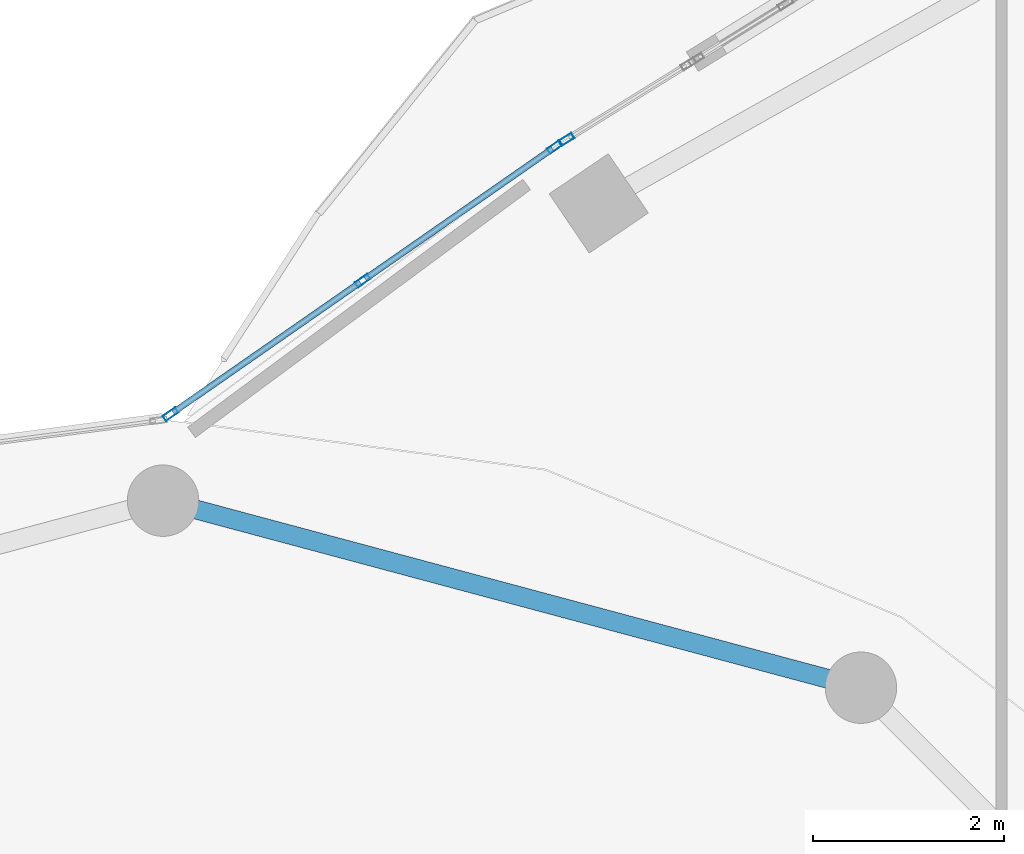
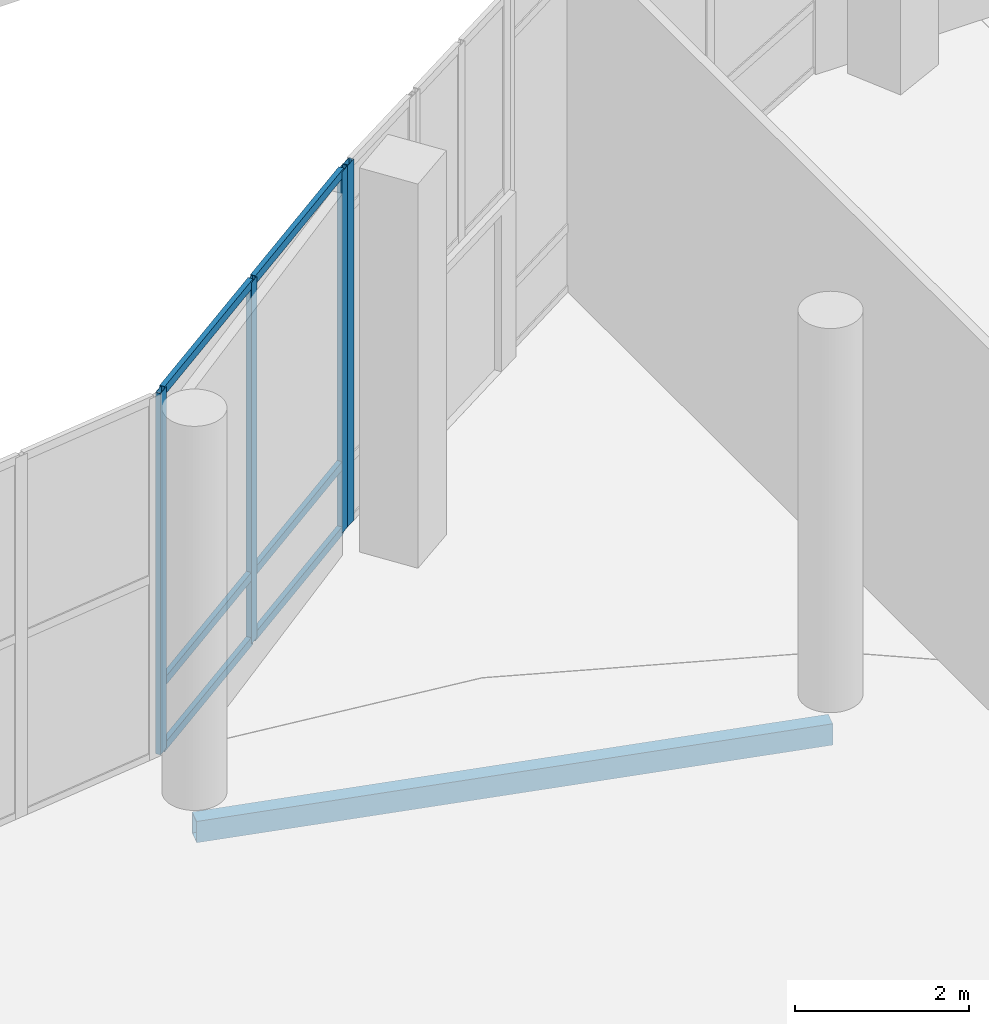
# One storey, part 59 of 158: 10 members, 1 beam, 2 elements without a shape of their own.
"""IFC4 building model written with IfcOpenShell, lengths in metres."""

import ifcopenshell
import ifcopenshell.guid

model = None  # the IFC model being written
_history = None  # IfcOwnerHistory: only IFC2X3 demands one
_inside = {}  # id of a spatial element -> (the spatial element, [elements in it])
_under = {}  # id of a project, library or spatial element -> (it, [spatial elements below it])
_declared = {}  # id of a project -> (the project, [libraries it declares])
_typed = {}  # id of a type object -> (the type object, [elements of that type])
_made_of = {}  # id of a material, layer set ... -> (it, [elements and type objects made of it])


def new_model(schema):
    """Start an empty IFC model of exactly this schema.

    Asked for "IFC4X3", IfcOpenShell would pick the latest addendum, in which some entities
    have other attributes; the version numbers below select the first issue.
    IFC2X3 requires an IfcOwnerHistory on every rooted entity: one is made here for all.
    """
    global model, _history
    if schema == "IFC4X3":
        model = ifcopenshell.file(schema_version=(4, 3, 0, 0))
    else:
        model = ifcopenshell.file(schema=schema)
    _inside.clear()
    _under.clear()
    _declared.clear()
    _typed.clear()
    _made_of.clear()
    _history = None
    if model.schema == "IFC2X3":
        org = make("IfcOrganization", Name="unknown")
        user = make(
            "IfcPersonAndOrganization",
            ThePerson=make("IfcPerson", FamilyName="unknown"),
            TheOrganization=org,
        )
        app = make(
            "IfcApplication",
            ApplicationDeveloper=org,
            Version="unknown",
            ApplicationFullName="unknown",
            ApplicationIdentifier="unknown",
        )
        _history = make(
            "IfcOwnerHistory",
            OwningUser=user,
            OwningApplication=app,
            ChangeAction="ADDED",
            CreationDate=0,
        )
    return model


def make(cls, **values):
    """One entity of the class cls with the attributes given. An attribute that is None is left unset."""
    return model.create_entity(
        cls, **{name: value for name, value in values.items() if value is not None}
    )


def rooted(cls, **values):
    """An entity with a GlobalId (a new one), such as an element, a storey or a relation."""
    return make(cls, GlobalId=ifcopenshell.guid.new(), OwnerHistory=_history, **values)


def si_unit(unit_type, name, prefix=None):
    """IfcSIUnit, for example si_unit("LENGTHUNIT", "METRE", prefix="MILLI")."""
    return make("IfcSIUnit", UnitType=unit_type, Prefix=prefix, Name=name)


def assignment(units):
    """IfcUnitAssignment: the units of a project."""
    return None if units is None else make("IfcUnitAssignment", Units=units)


def point(xyz):
    """IfcCartesianPoint."""
    return None if xyz is None else make("IfcCartesianPoint", Coordinates=xyz)


def direction(xyz):
    """IfcDirection."""
    return None if xyz is None else make("IfcDirection", DirectionRatios=xyz)


def frame(location, z_axis=None, x_axis=None):
    """IfcAxis2Placement3D, a coordinate frame: its origin and axes. An axis left out is left unset."""
    return make(
        "IfcAxis2Placement3D",
        Location=point(location),
        Axis=direction(z_axis),
        RefDirection=direction(x_axis),
    )


def frame_2d(location, x_axis=None):
    """IfcAxis2Placement2D, a coordinate frame in the plane: its origin and x axis."""
    return make(
        "IfcAxis2Placement2D", Location=point(location), RefDirection=direction(x_axis)
    )


def origin():
    """The frame at (0, 0, 0) with its axes left unset."""
    return frame((0.0, 0.0, 0.0))


def origin_2d():
    """The frame at (0, 0) in the plane with its x axis left unset."""
    return frame_2d((0.0, 0.0))


def place(relative_to, where):
    """IfcLocalPlacement: puts the frame where relative to a parent placement (None: the world)."""
    return make(
        "IfcLocalPlacement", PlacementRelTo=relative_to, RelativePlacement=where
    )


def context(
    kind, dimensions, precision=None, world=None, true_north=None, identifier=None
):
    """IfcGeometricRepresentationContext, for example the 3D "Model" context."""
    return make(
        "IfcGeometricRepresentationContext",
        ContextIdentifier=identifier,
        ContextType=kind,
        CoordinateSpaceDimension=dimensions,
        Precision=precision,
        WorldCoordinateSystem=world,
        TrueNorth=true_north,
    )


def subcontext(parent, identifier, kind, view, scale=None):
    """IfcGeometricRepresentationSubContext, for example "Body" below "Model"."""
    return make(
        "IfcGeometricRepresentationSubContext",
        ContextIdentifier=identifier,
        ContextType=kind,
        ParentContext=parent,
        TargetScale=scale,
        TargetView=view,
    )


def project(units=None, contexts=None):
    """IfcProject with its units and contexts."""
    return rooted(
        "IfcProject",
        Name="project",
        RepresentationContexts=contexts,
        UnitsInContext=assignment(units),
    )


def spatial(cls, under=None, at=None, **own):
    """A site, building, storey or space (cls), placed at a placement, below another one or the project."""
    s = rooted(cls, ObjectPlacement=at, **own)
    if under is not None:
        _under.setdefault(under.id(), (under, []))[1].append(s)
    return s


def profile(cls, at=None, kind="AREA", **sizes):
    """A parametric profile (cls). Its sizes go by their IFC names, for example OverallWidth=200.0."""
    return make(cls, ProfileType=kind, Position=at, **sizes)


def hollow_rectangle(**sizes):
    """IfcRectangleHollowProfileDef."""
    return profile("IfcRectangleHollowProfileDef", **sizes)


def extrude(swept, where, along, depth):
    """IfcExtrudedAreaSolid: the profile swept, set in the frame where, extruded along a direction by depth."""
    return make(
        "IfcExtrudedAreaSolid",
        SweptArea=swept,
        Position=where,
        ExtrudedDirection=direction(along),
        Depth=depth,
    )


def shape(context_of_items, identifier, shape_type, items):
    """IfcShapeRepresentation: the items that make up one representation, for example the "Body"."""
    return make(
        "IfcShapeRepresentation",
        ContextOfItems=context_of_items,
        RepresentationIdentifier=identifier,
        RepresentationType=shape_type,
        Items=items,
    )


def material(Name=None, Category=None):
    """IfcMaterial."""
    return make("IfcMaterial", Name=Name, Category=Category)


def material_profile(
    of_material, cross_section, Name=None, Category=None, Priority=None
):
    """IfcMaterialProfile: a cross section and its material."""
    return make(
        "IfcMaterialProfile",
        Name=Name,
        Material=of_material,
        Profile=cross_section,
        Priority=Priority,
        Category=Category,
    )


def profile_set(profiles, Name=None, composite=None):
    """IfcMaterialProfileSet."""
    return make(
        "IfcMaterialProfileSet",
        Name=Name,
        MaterialProfiles=profiles,
        CompositeProfile=composite,
    )


def made_of(thing, what):
    """Note that an element or type object is made of a material, layer set ...; save() writes the relation."""
    if what is not None:
        _made_of.setdefault(what.id(), (what, []))[1].append(thing)
    return thing


def type_object(cls, material=None, **own):
    """A type object (cls), such as IfcWallType, which elements share."""
    return made_of(rooted(cls, **own), material)


def element(
    cls,
    number,
    at=None,
    inside=None,
    cuts=None,
    type_object=None,
    material=None,
    context=None,
    identifier="Body",
    shape_type=None,
    held_by="IfcProductDefinitionShape",
    body=None,
    shapes=None,
    **own,
):
    """One element of the class cls, such as IfcWall. Its Tag is "e" and its number.

    at: its placement. inside: the storey or other place that contains it. cuts: it is an
    opening in that element (IfcRelVoidsElement). A single representation is given by context,
    identifier, shape_type and body (its items); several are given by shapes. held_by: the class
    of the entity that holds the representations. save() writes the other relations.
    """
    e = rooted(cls, Tag="e%d" % number, ObjectPlacement=at, **own)
    if body is not None:
        shapes = [shape(context, identifier, shape_type, body)]
    if shapes is not None:
        e.Representation = make(held_by, Representations=shapes)
    if inside is not None:
        _inside.setdefault(inside.id(), (inside, []))[1].append(e)
    if cuts is not None:
        rooted(
            "IfcRelVoidsElement", RelatingBuildingElement=cuts, RelatedOpeningElement=e
        )
    if type_object is not None:
        _typed.setdefault(type_object.id(), (type_object, []))[1].append(e)
    return made_of(e, material)


def aggregate(whole, parts):
    """IfcRelAggregates: a whole, such as a stair, and the parts it consists of."""
    return rooted("IfcRelAggregates", RelatingObject=whole, RelatedObjects=parts)


def save(model, path):
    """Write the relations noted so far, then the file.

    IfcRelAggregates (storeys below a building ...), IfcRelContainedInSpatialStructure (elements
    in a storey), IfcRelDefinesByType, IfcRelAssociatesMaterial and IfcRelDeclares: one each for
    every whole, place, type object, material and project.
    """
    for whole, parts in _under.values():
        aggregate(whole, parts)
    for where, things in _inside.values():
        rooted(
            "IfcRelContainedInSpatialStructure",
            RelatedElements=things,
            RelatingStructure=where,
        )
    for kind, things in _typed.values():
        rooted("IfcRelDefinesByType", RelatedObjects=things, RelatingType=kind)
    for what, things in _made_of.values():
        rooted("IfcRelAssociatesMaterial", RelatedObjects=things, RelatingMaterial=what)
    for by, libraries in _declared.values():
        rooted("IfcRelDeclares", RelatingContext=by, RelatedDefinitions=libraries)
    model.write(path)


model = new_model("IFC4")

# Units and contexts
model_context = context("Model", 3, precision=1e-05, world=origin(), true_north=direction((0.0, 1.0)))
body_context = subcontext(model_context, "Body", "Model", "MODEL_VIEW")
ifc_project = project(units=[si_unit("LENGTHUNIT", "METRE"), si_unit("AREAUNIT", "SQUARE_METRE"), si_unit("VOLUMEUNIT", "CUBIC_METRE"), si_unit("PLANEANGLEUNIT", "RADIAN"), si_unit("MASSUNIT", "GRAM", prefix="KILO")], contexts=[model_context])

# Site, building, storey
site_placement = place(None, origin())
site = spatial("IfcSite", under=ifc_project, at=site_placement, CompositionType="ELEMENT")
building_placement = place(site_placement, origin())
building = spatial("IfcBuilding", under=site, at=building_placement, Name="Selatvlak General Hospital", CompositionType="ELEMENT")
storey_placement = place(building_placement, origin())
storey = spatial("IfcBuildingStorey", under=building, at=storey_placement, Name="L00", CompositionType="ELEMENT", Elevation=0.0)

# Beam
ifc_material_1 = material(Name="Steel S355", Category="steel")
ifc_material_profile_1 = material_profile(ifc_material_1, hollow_rectangle(XDim=0.199951171875, YDim=0.300048828125, WallThickness=0.011962890625, at=origin_2d()), Name="RHS 300x200x12")
ifc_profile_set_1 = profile_set([ifc_material_profile_1], Name="Steel S355")
beam_type = type_object("IfcBeamType", Name="BM-SP3", PredefinedType="SPANDREL", material=ifc_profile_set_1)
beam_placement = place(storey_placement, frame((105.324951171875, 66.68701171875, -0.5), z_axis=(-0.965920028052, 0.25884068345, 0.0), x_axis=(-0.25884068345, -0.965920028052, 0.0)))
element("IfcBeam", 1, at=beam_placement, inside=storey, type_object=beam_type, Name="Beam BMR-L00-0331", PredefinedType="SPANDREL", context=body_context, shape_type="SweptSolid", body=[
    extrude(hollow_rectangle(XDim=0.199951171875, YDim=0.300048828125, WallThickness=0.011962890625, at=origin_2d()), origin(), (0.0, 0.0, 1.0), 7.58349609375),
])

# Curtain wall, members
ifc_material_2 = material(Name="Solar-control Low-E double glazing", Category="glass")
curtain_wall_type = type_object("IfcCurtainWallType", Name="CW-CW-01", PredefinedType="USERDEFINED", material=ifc_material_2)
curtain_wall_1_placement = place(storey_placement, origin())
curtain_wall_1 = element("IfcCurtainWall", 2, at=curtain_wall_1_placement, inside=storey, type_object=curtain_wall_type, Name="Glazed facade curtain wall CW-L00-0099", ObjectType="UNITISED CURTAIN WALL", PredefinedType="USERDEFINED")
ifc_material_3 = material(Name="Dark anodised aluminium mullion", Category="aluminium")
ifc_material_profile_2 = material_profile(ifc_material_3, hollow_rectangle(XDim=0.06494140625, YDim=0.159912109375, WallThickness=0.00390625, at=origin_2d()), Name="AL-MUL 65x160x4")
ifc_profile_set_2 = profile_set([ifc_material_profile_2], Name="Dark anodised aluminium mullion")
member_type_1 = type_object("IfcMemberType", Name="CWM-01", PredefinedType="MULLION", material=ifc_profile_set_2)
member_1_placement = place(storey_placement, frame((98.07861328125, 69.556640625, 0.0), z_axis=(0.0, 0.0, 1.0), x_axis=(-0.571046832792, 0.820917483526, 0.0)))
member_1 = element("IfcMember", 3, at=member_1_placement, type_object=member_type_1, Name="CW-01 mullion 1", PredefinedType="MULLION", context=body_context, shape_type="SweptSolid", body=[
    extrude(hollow_rectangle(XDim=0.06494140625, YDim=0.159912109375, WallThickness=0.00390625, at=origin_2d()), origin(), (0.0, 0.0, 1.0), 5.080078125),
])
member_2_placement = place(storey_placement, frame((100.095458984375, 70.95947265625, 0.0), z_axis=(0.0, 0.0, 1.0), x_axis=(-0.571046832792, 0.820917483526, 0.0)))
member_2 = element("IfcMember", 4, at=member_2_placement, type_object=member_type_1, Name="CW-01 mullion 2", PredefinedType="MULLION", context=body_context, shape_type="SweptSolid", body=[
    extrude(hollow_rectangle(XDim=0.06494140625, YDim=0.159912109375, WallThickness=0.00390625, at=origin_2d()), origin(), (0.0, 0.0, 1.0), 5.080078125),
])
member_3_placement = place(storey_placement, frame((102.1123046875, 72.362548828125, 0.0), z_axis=(0.0, 0.0, 1.0), x_axis=(-0.571046832792, 0.820917483526, 0.0)))
member_3 = element("IfcMember", 5, at=member_3_placement, type_object=member_type_1, Name="CW-01 mullion 3", PredefinedType="MULLION", context=body_context, shape_type="SweptSolid", body=[
    extrude(hollow_rectangle(XDim=0.06494140625, YDim=0.159912109375, WallThickness=0.00390625, at=origin_2d()), origin(), (0.0, 0.0, 1.0), 5.080078125),
])

# Curtain wall, member
curtain_wall_2_placement = place(storey_placement, origin())
curtain_wall_2 = element("IfcCurtainWall", 6, at=curtain_wall_2_placement, inside=storey, type_object=curtain_wall_type, Name="Glazed facade curtain wall CW-L00-0101", ObjectType="UNITISED CURTAIN WALL", PredefinedType="USERDEFINED")
member_4_placement = place(storey_placement, frame((102.234619140625, 72.441162109375, 0.0), z_axis=(0.0, 0.0, 1.0), x_axis=(-0.525872346387, 0.850563504569, 0.0)))
member_4 = element("IfcMember", 7, at=member_4_placement, type_object=member_type_1, Name="CW-01 mullion 1", PredefinedType="MULLION", context=body_context, shape_type="SweptSolid", body=[
    extrude(hollow_rectangle(XDim=0.06494140625, YDim=0.159912109375, WallThickness=0.00390625, at=origin_2d()), origin(), (0.0, 0.0, 1.0), 5.080078125),
])
aggregate(curtain_wall_2, [member_4])

# Member
ifc_material_profile_3 = material_profile(ifc_material_3, hollow_rectangle(XDim=0.06494140625, YDim=0.1201171875, WallThickness=0.00390625, at=origin_2d()), Name="AL-TRN 65x120x4")
ifc_profile_set_3 = profile_set([ifc_material_profile_3], Name="Dark anodised aluminium mullion")
member_type_2 = type_object("IfcMemberType", Name="CWT-01", PredefinedType="USERDEFINED", material=ifc_profile_set_3)
member_5_placement = place(storey_placement, frame((98.10546875, 69.5751953125, 0.032470703125), z_axis=(0.820926007321, 0.571034579079, 0.0), x_axis=(-0.571034579079, 0.820926007321, 0.0)))
member_5 = element("IfcMember", 8, at=member_5_placement, type_object=member_type_2, Name="CW-01 transom 1.1", ObjectType="TRANSOM", PredefinedType="USERDEFINED", context=body_context, shape_type="SweptSolid", body=[
    extrude(hollow_rectangle(XDim=0.06494140625, YDim=0.1201171875, WallThickness=0.00390625, at=origin_2d()), origin(), (0.0, 0.0, 1.0), 2.3916015625),
])

member_6_placement = place(storey_placement, frame((98.10546875, 69.5751953125, 0.949951171875), z_axis=(0.820926007321, 0.571034579079, 0.0), x_axis=(-0.571034579079, 0.820926007321, 0.0)))
member_6 = element("IfcMember", 9, at=member_6_placement, type_object=member_type_2, Name="CW-01 transom 1.2", ObjectType="TRANSOM", PredefinedType="USERDEFINED", context=body_context, shape_type="SweptSolid", body=[
    extrude(hollow_rectangle(XDim=0.06494140625, YDim=0.1201171875, WallThickness=0.00390625, at=origin_2d()), origin(), (0.0, 0.0, 1.0), 2.3916015625),
])

member_7_placement = place(storey_placement, frame((98.10546875, 69.5751953125, 5.047607421875), z_axis=(0.820926007321, 0.571034579079, 0.0), x_axis=(-0.571034579079, 0.820926007321, 0.0)))
member_7 = element("IfcMember", 10, at=member_7_placement, type_object=member_type_2, Name="CW-01 transom 1.3", ObjectType="TRANSOM", PredefinedType="USERDEFINED", context=body_context, shape_type="SweptSolid", body=[
    extrude(hollow_rectangle(XDim=0.06494140625, YDim=0.1201171875, WallThickness=0.00390625, at=origin_2d()), origin(), (0.0, 0.0, 1.0), 2.3916015625),
])

member_8_placement = place(storey_placement, frame((100.1220703125, 70.97802734375, 0.032470703125), z_axis=(0.820911442674, 0.571055516817, 0.0), x_axis=(-0.571055516817, 0.820911442674, 0.0)))
member_8 = element("IfcMember", 11, at=member_8_placement, type_object=member_type_2, Name="CW-01 transom 2.1", ObjectType="TRANSOM", PredefinedType="USERDEFINED", context=body_context, shape_type="SweptSolid", body=[
    extrude(hollow_rectangle(XDim=0.06494140625, YDim=0.1201171875, WallThickness=0.00390625, at=origin_2d()), origin(), (0.0, 0.0, 1.0), 2.39208984375),
])

member_9_placement = place(storey_placement, frame((100.1220703125, 70.97802734375, 0.949951171875), z_axis=(0.820911442674, 0.571055516817, 0.0), x_axis=(-0.571055516817, 0.820911442674, 0.0)))
member_9 = element("IfcMember", 12, at=member_9_placement, type_object=member_type_2, Name="CW-01 transom 2.2", ObjectType="TRANSOM", PredefinedType="USERDEFINED", context=body_context, shape_type="SweptSolid", body=[
    extrude(hollow_rectangle(XDim=0.06494140625, YDim=0.1201171875, WallThickness=0.00390625, at=origin_2d()), origin(), (0.0, 0.0, 1.0), 2.39208984375),
])

member_10_placement = place(storey_placement, frame((100.1220703125, 70.97802734375, 5.047607421875), z_axis=(0.820911442674, 0.571055516817, 0.0), x_axis=(-0.571055516817, 0.820911442674, 0.0)))
member_10 = element("IfcMember", 13, at=member_10_placement, type_object=member_type_2, Name="CW-01 transom 2.3", ObjectType="TRANSOM", PredefinedType="USERDEFINED", context=body_context, shape_type="SweptSolid", body=[
    extrude(hollow_rectangle(XDim=0.06494140625, YDim=0.1201171875, WallThickness=0.00390625, at=origin_2d()), origin(), (0.0, 0.0, 1.0), 2.39208984375),
])

aggregate(curtain_wall_1, [member_1, member_2, member_3, member_5, member_6, member_7, member_8, member_9, member_10])

save(model, "model.ifc")
